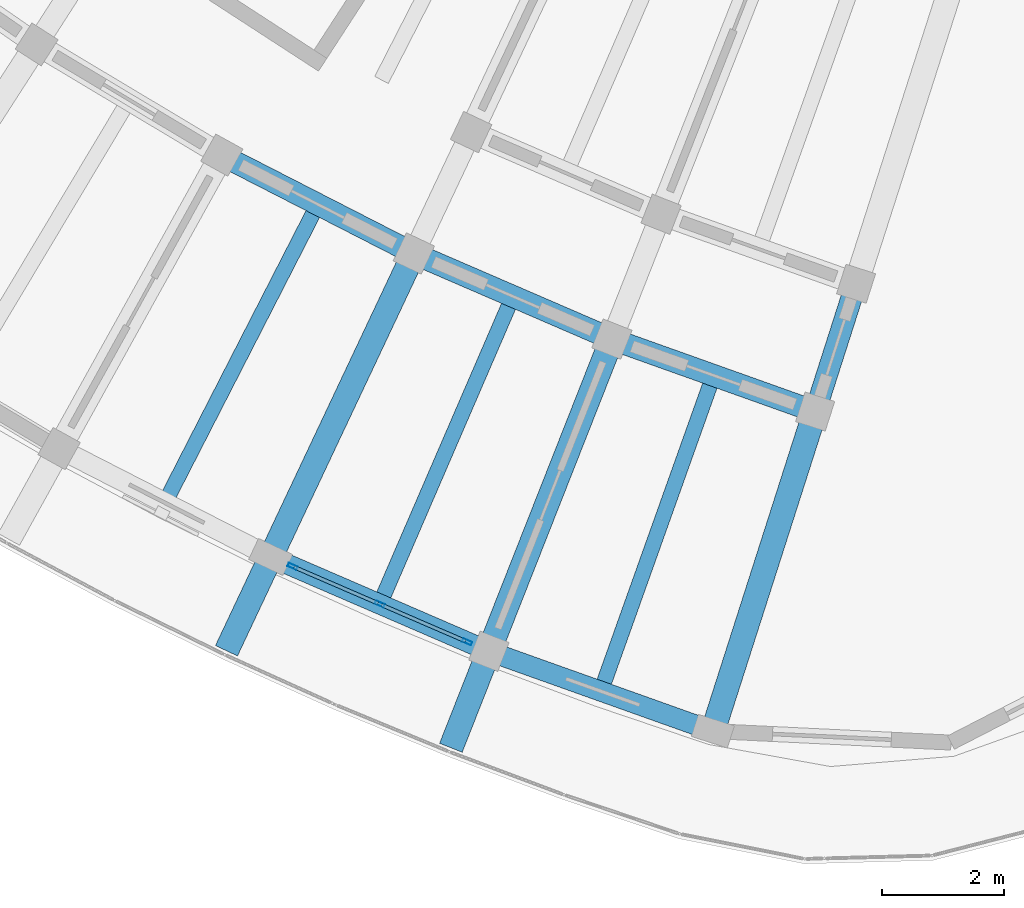
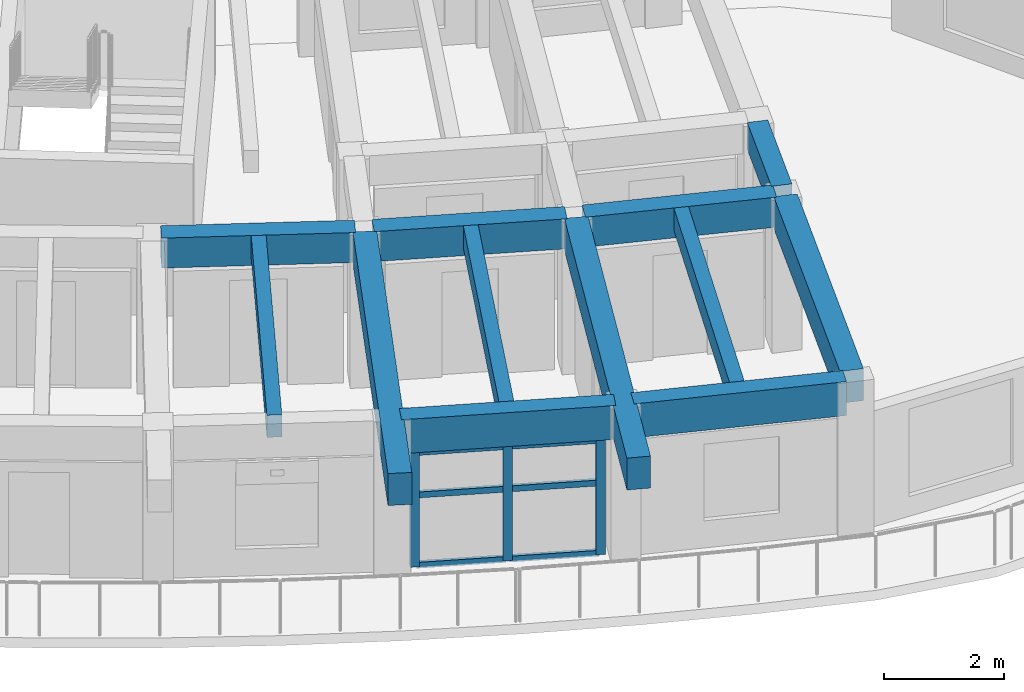
# One storey, part 8 of 83: 12 beams, 9 members, 1 element without a shape of its own.
"""IFC4 building model written with IfcOpenShell, lengths in metres."""

from ifc_helpers import new_model, si_unit, direction, frame, origin, origin_2d, place, context, subcontext, project, spatial, rectangle, hollow_rectangle, extrude, material, material_profile, profile_set, type_object, element, aggregate, save


model = new_model("IFC4")

# Units and contexts
model_context = context("Model", 3, precision=1e-05, world=origin(), true_north=direction((0.0, 1.0)))
body_context = subcontext(model_context, "Body", "Model", "MODEL_VIEW")
ifc_project = project(units=[si_unit("LENGTHUNIT", "METRE"), si_unit("AREAUNIT", "SQUARE_METRE"), si_unit("VOLUMEUNIT", "CUBIC_METRE"), si_unit("PLANEANGLEUNIT", "RADIAN"), si_unit("MASSUNIT", "GRAM", prefix="KILO")], contexts=[model_context])

# Site, building, storey
site_placement = place(None, origin())
site = spatial("IfcSite", under=ifc_project, at=site_placement, CompositionType="ELEMENT")
building_placement = place(site_placement, origin())
building = spatial("IfcBuilding", under=site, at=building_placement, Name="Tanwirah Colonnade Gardens", CompositionType="ELEMENT")
storey_placement = place(building_placement, frame((0.0, 0.0, 25.639892578125)))
storey = spatial("IfcBuildingStorey", under=building, at=storey_placement, Name="L07", CompositionType="ELEMENT", Elevation=25.639892578125)

# Beams
ifc_material_1 = material(Name="Precast concrete C40/50", Category="concrete")
ifc_material_profile_1 = material_profile(ifc_material_1, rectangle(XDim=0.360107421875, YDim=0.610107421875, at=origin_2d()), Name="PC-BM 360x610")
ifc_profile_set_1 = profile_set([ifc_material_profile_1], Name="Precast concrete C40/50")
beam_type_1 = type_object("IfcBeamType", Name="BM-PC300", PredefinedType="BEAM", material=ifc_profile_set_1)
for number, where, z_axis, x_axis, name in (
    (1, (38.929443359375, 17.158447265625, 2.80517578125), (0.890025451153, -0.45591084249, 0.0), (0.45591084249, 0.890025451153, 0.0), "Block C L07 Circumferential Beam 12-R2"),
    (2, (42.08154296875, 15.5546875, 2.80517578125), (0.917943156181, -0.396711938338, 0.0), (0.396711938338, 0.917943156181, 0.0), "Block C L07 Circumferential Beam 13-R2"),
    (3, (45.331787109375, 14.16064453125, 2.80517578125), (0.941917534978, -0.335844245597, 0.0), (0.335844245597, 0.941917534978, 0.0), "Block C L07 Circumferential Beam 14-R2"),
):
    element("IfcBeam", number, at=place(storey_placement, frame(where, z_axis=z_axis, x_axis=x_axis)), inside=storey, type_object=beam_type_1, Name=name, PredefinedType="BEAM", context=body_context, shape_type="SweptSolid", body=[
        extrude(rectangle(XDim=0.360107421875, YDim=0.610107421875, at=origin_2d()), origin(), (0.0, 0.0, 1.0), 3.237060546875),
    ])
ifc_material_profile_2 = material_profile(ifc_material_1, rectangle(XDim=0.35009765625, YDim=0.550048828125, at=origin_2d()), Name="PC-BM 350x550")
ifc_profile_set_2 = profile_set([ifc_material_profile_2], Name="Precast concrete C40/50")
beam_type_2 = type_object("IfcBeamType", Name="BM-PC350A", PredefinedType="BEAM", material=ifc_profile_set_2)
beam_1_placement = place(storey_placement, frame((49.14697265625, 14.975341796875, 2.835205078125), z_axis=(-0.304794376797, -0.952418179096, 0.0), x_axis=(0.952418179096, -0.304794376797, 0.0)))
element("IfcBeam", 4, at=beam_1_placement, inside=storey, type_object=beam_type_2, Name="Block C L07 Corridor Tie Beam 15", PredefinedType="BEAM", context=body_context, shape_type="SweptSolid", body=[
    extrude(rectangle(XDim=0.35009765625, YDim=0.550048828125, at=origin_2d()), origin(), (0.0, 0.0, 1.0), 1.89990234375),
])
ifc_material_2 = material(Name="Precast concrete C45/55", Category="concrete")
ifc_material_profile_3 = material_profile(ifc_material_2, rectangle(XDim=0.39990234375, YDim=0.64990234375, at=origin_2d()), Name="PC-BM 400x650")
ifc_profile_set_3 = profile_set([ifc_material_profile_3], Name="Precast concrete C45/55")
beam_type_3 = type_object("IfcBeamType", Name="BM-PC400", PredefinedType="BEAM", material=ifc_profile_set_3)
for number, where, z_axis, x_axis, name in (
    (5, (41.8798828125, 15.478515625, 2.78515625), (-0.426567365945, -0.904455793453, 0.0), (0.904455793453, -0.426567365945, 0.0), "Block C L07 Outer Radial Precast Girder 13"),
    (6, (45.1357421875, 14.0712890625, 2.78515625), (-0.366525426804, -0.930408034953, 0.0), (0.930408034953, -0.366525426804, 0.0), "Block C L07 Outer Radial Precast Girder 14"),
):
    element("IfcBeam", number, at=place(storey_placement, frame(where, z_axis=z_axis, x_axis=x_axis)), inside=storey, type_object=beam_type_3, Name=name, PredefinedType="BEAM", context=body_context, shape_type="SweptSolid", body=[
        extrude(rectangle(XDim=0.39990234375, YDim=0.64990234375, at=origin_2d()), origin(), (0.0, 0.0, 1.0), 7.050048828125),
    ])
beam_2_placement = place(storey_placement, frame((48.476318359375, 12.880126953125, 2.78515625), z_axis=(-0.304852387649, -0.952399612424, 0.0), x_axis=(0.952399612424, -0.304852387649, 0.0)))
element("IfcBeam", 7, at=beam_2_placement, inside=storey, type_object=beam_type_3, Name="Block C L07 Outer Radial Precast Girder 15", PredefinedType="BEAM", context=body_context, shape_type="SweptSolid", body=[
    extrude(rectangle(XDim=0.39990234375, YDim=0.64990234375, at=origin_2d()), origin(), (0.0, 0.0, 1.0), 5.199951171875),
])

# Curtain wall, members
ifc_material_3 = material(Name="Bronze-anodised aluminium and solar-control low-E glass", Category="aluminium")
curtain_wall_type = type_object("IfcCurtainWallType", Name="CW-LOB", PredefinedType="NOTDEFINED", material=ifc_material_3)
curtain_wall_placement = place(storey_placement, origin())
curtain_wall = element("IfcCurtainWall", 8, at=curtain_wall_placement, inside=storey, type_object=curtain_wall_type, Name="Curtain Wall CW-C-L07-OUT-13", PredefinedType="NOTDEFINED")
ifc_material_4 = material(Name="Bronze-anodised aluminium", Category="aluminium")
ifc_material_profile_4 = material_profile(ifc_material_4, hollow_rectangle(XDim=0.06005859375, YDim=0.159912109375, WallThickness=0.00390625, at=origin_2d()), Name="CW-MUL 60x160x4")
ifc_profile_set_4 = profile_set([ifc_material_profile_4], Name="Bronze-anodised aluminium")
member_type_1 = type_object("IfcMemberType", Name="CWM-60x160", PredefinedType="MULLION", material=ifc_profile_set_4)
member_1_placement = place(storey_placement, frame((39.955810546875, 10.48486328125, 0.0), z_axis=(0.0, 0.0, 1.0), x_axis=(0.396749236313, 0.917927036036, 0.0)))
member_1 = element("IfcMember", 9, at=member_1_placement, type_object=member_type_1, Name="CW-LOB mullion 1", PredefinedType="MULLION", context=body_context, shape_type="SweptSolid", body=[
    extrude(hollow_rectangle(XDim=0.06005859375, YDim=0.159912109375, WallThickness=0.00390625, at=origin_2d()), origin(), (0.0, 0.0, 1.0), 2.355224609375),
])
member_2_placement = place(storey_placement, frame((41.38623046875, 9.86669921875, 0.0), z_axis=(0.0, 0.0, 1.0), x_axis=(0.396749236313, 0.917927036036, 0.0)))
member_2 = element("IfcMember", 10, at=member_2_placement, type_object=member_type_1, Name="CW-LOB mullion 2", PredefinedType="MULLION", context=body_context, shape_type="SweptSolid", body=[
    extrude(hollow_rectangle(XDim=0.06005859375, YDim=0.159912109375, WallThickness=0.00390625, at=origin_2d()), origin(), (0.0, 0.0, 1.0), 2.355224609375),
])
member_3_placement = place(storey_placement, frame((42.81689453125, 9.248291015625, 0.0), z_axis=(0.0, 0.0, 1.0), x_axis=(0.396749236313, 0.917927036036, 0.0)))
member_3 = element("IfcMember", 11, at=member_3_placement, type_object=member_type_1, Name="CW-LOB mullion 3", PredefinedType="MULLION", context=body_context, shape_type="SweptSolid", body=[
    extrude(hollow_rectangle(XDim=0.06005859375, YDim=0.159912109375, WallThickness=0.00390625, at=origin_2d()), origin(), (0.0, 0.0, 1.0), 2.355224609375),
])
ifc_material_profile_5 = material_profile(ifc_material_4, hollow_rectangle(XDim=0.06005859375, YDim=0.1201171875, WallThickness=0.00390625, at=origin_2d()), Name="CW-TRN 60x120x4")
ifc_profile_set_5 = profile_set([ifc_material_profile_5], Name="Bronze-anodised aluminium")
member_type_2 = type_object("IfcMemberType", Name="CWT-60x120", PredefinedType="USERDEFINED", material=ifc_profile_set_5)
member_4_placement = place(storey_placement, frame((39.9833984375, 10.47314453125, 0.030029296875), z_axis=(0.917935624391, -0.396729365529, 0.0), x_axis=(0.396729365529, 0.917935624391, 0.0)))
member_4 = element("IfcMember", 12, at=member_4_placement, type_object=member_type_2, Name="CW-LOB transom 1.1", ObjectType="TRANSOM", PredefinedType="USERDEFINED", context=body_context, shape_type="SweptSolid", body=[
    extrude(hollow_rectangle(XDim=0.06005859375, YDim=0.1201171875, WallThickness=0.00390625, at=origin_2d()), origin(), (0.0, 0.0, 1.0), 1.49853515625),
])
member_5_placement = place(storey_placement, frame((39.9833984375, 10.47314453125, 1.460205078125), z_axis=(0.917935624391, -0.396729365529, 0.0), x_axis=(0.396729365529, 0.917935624391, 0.0)))
member_5 = element("IfcMember", 13, at=member_5_placement, type_object=member_type_2, Name="CW-LOB transom 1.2", ObjectType="TRANSOM", PredefinedType="USERDEFINED", context=body_context, shape_type="SweptSolid", body=[
    extrude(hollow_rectangle(XDim=0.06005859375, YDim=0.1201171875, WallThickness=0.00390625, at=origin_2d()), origin(), (0.0, 0.0, 1.0), 1.49853515625),
])
member_6_placement = place(storey_placement, frame((39.9833984375, 10.47314453125, 2.3251953125), z_axis=(0.917935624391, -0.396729365529, 0.0), x_axis=(0.396729365529, 0.917935624391, 0.0)))
member_6 = element("IfcMember", 14, at=member_6_placement, type_object=member_type_2, Name="CW-LOB transom 1.3", ObjectType="TRANSOM", PredefinedType="USERDEFINED", context=body_context, shape_type="SweptSolid", body=[
    extrude(hollow_rectangle(XDim=0.06005859375, YDim=0.1201171875, WallThickness=0.00390625, at=origin_2d()), origin(), (0.0, 0.0, 1.0), 1.49853515625),
])
member_7_placement = place(storey_placement, frame((41.413818359375, 9.854736328125, 0.030029296875), z_axis=(0.917935624391, -0.396729365529, 0.0), x_axis=(0.396729365529, 0.917935624391, 0.0)))
member_7 = element("IfcMember", 15, at=member_7_placement, type_object=member_type_2, Name="CW-LOB transom 2.1", ObjectType="TRANSOM", PredefinedType="USERDEFINED", context=body_context, shape_type="SweptSolid", body=[
    extrude(hollow_rectangle(XDim=0.06005859375, YDim=0.1201171875, WallThickness=0.00390625, at=origin_2d()), origin(), (0.0, 0.0, 1.0), 1.49853515625),
])
member_8_placement = place(storey_placement, frame((41.413818359375, 9.854736328125, 1.460205078125), z_axis=(0.917935624391, -0.396729365529, 0.0), x_axis=(0.396729365529, 0.917935624391, 0.0)))
member_8 = element("IfcMember", 16, at=member_8_placement, type_object=member_type_2, Name="CW-LOB transom 2.2", ObjectType="TRANSOM", PredefinedType="USERDEFINED", context=body_context, shape_type="SweptSolid", body=[
    extrude(hollow_rectangle(XDim=0.06005859375, YDim=0.1201171875, WallThickness=0.00390625, at=origin_2d()), origin(), (0.0, 0.0, 1.0), 1.49853515625),
])
member_9_placement = place(storey_placement, frame((41.413818359375, 9.854736328125, 2.3251953125), z_axis=(0.917935624391, -0.396729365529, 0.0), x_axis=(0.396729365529, 0.917935624391, 0.0)))
member_9 = element("IfcMember", 17, at=member_9_placement, type_object=member_type_2, Name="CW-LOB transom 2.3", ObjectType="TRANSOM", PredefinedType="USERDEFINED", context=body_context, shape_type="SweptSolid", body=[
    extrude(hollow_rectangle(XDim=0.06005859375, YDim=0.1201171875, WallThickness=0.00390625, at=origin_2d()), origin(), (0.0, 0.0, 1.0), 1.49853515625),
])
aggregate(curtain_wall, [member_1, member_2, member_3, member_4, member_5, member_6, member_7, member_8, member_9])

# Beams
ifc_material_profile_6 = material_profile(ifc_material_1, rectangle(XDim=0.25, YDim=0.449951171875, at=origin_2d()), Name="PC-JST 250x450")
ifc_profile_set_6 = profile_set([ifc_material_profile_6], Name="Precast concrete C40/50")
beam_type_4 = type_object("IfcBeamType", Name="JST-PC250", PredefinedType="JOIST", material=ifc_profile_set_6)
for number, where, z_axis, x_axis, name in (
    (18, (40.302001953125, 16.287841796875, 2.885009765625), (-0.455936851617, -0.890012127635, 0.0), (0.890012127635, -0.455936851617, 0.0), "Block C L07 Precast Floor Joist 12"),
    (19, (43.50830078125, 14.77587890625, 2.885009765625), (-0.396746282, -0.917928312952, 0.0), (0.917928312952, -0.396746282, 0.0), "Block C L07 Precast Floor Joist 13"),
    (20, (46.806396484375, 13.4765625, 2.885009765625), (-0.335862957845, -0.941910862846, 0.0), (0.941910862846, -0.335862957845, 0.0), "Block C L07 Precast Floor Joist 14"),
):
    element("IfcBeam", number, at=place(storey_placement, frame(where, z_axis=z_axis, x_axis=x_axis)), inside=storey, type_object=beam_type_4, Name=name, PredefinedType="JOIST", context=body_context, shape_type="SweptSolid", body=[
        extrude(rectangle(XDim=0.25, YDim=0.449951171875, at=origin_2d()), origin(), (0.0, 0.0, 1.0), 5.260009765625),
    ])
ifc_material_profile_7 = material_profile(ifc_material_1, rectangle(XDim=0.330078125, YDim=0.68994140625, at=origin_2d()), Name="PC-SP 330x690")
ifc_profile_set_7 = profile_set([ifc_material_profile_7], Name="Precast concrete C40/50")
beam_type_5 = type_object("IfcBeamType", Name="SP-PC280", PredefinedType="SPANDREL", material=ifc_profile_set_7)
beam_3_placement = place(storey_placement, frame((39.735595703125, 10.580078125, 2.76513671875), z_axis=(0.917925861765, -0.396751953118, 0.0), x_axis=(0.396751953118, 0.917925861765, 0.0)))
element("IfcBeam", 21, at=beam_3_placement, inside=storey, type_object=beam_type_5, Name="Block C L07 Circumferential Beam 13-R3", PredefinedType="SPANDREL", context=body_context, shape_type="SweptSolid", body=[
    extrude(rectangle(XDim=0.330078125, YDim=0.68994140625, at=origin_2d()), origin(), (0.0, 0.0, 1.0), 3.5966796875),
])
beam_4_placement = place(storey_placement, frame((43.316162109375, 9.043212890625, 2.76513671875), z_axis=(0.941915315404, -0.335850470607, 0.0), x_axis=(0.335850470607, 0.941915315404, 0.0)))
element("IfcBeam", 22, at=beam_4_placement, inside=storey, type_object=beam_type_5, Name="Block C L07 Circumferential Beam 14-R3", PredefinedType="SPANDREL", context=body_context, shape_type="SweptSolid", body=[
    extrude(rectangle(XDim=0.330078125, YDim=0.68994140625, at=origin_2d()), origin(), (0.0, 0.0, 1.0), 3.596923828125),
])

save(model, "model.ifc")
